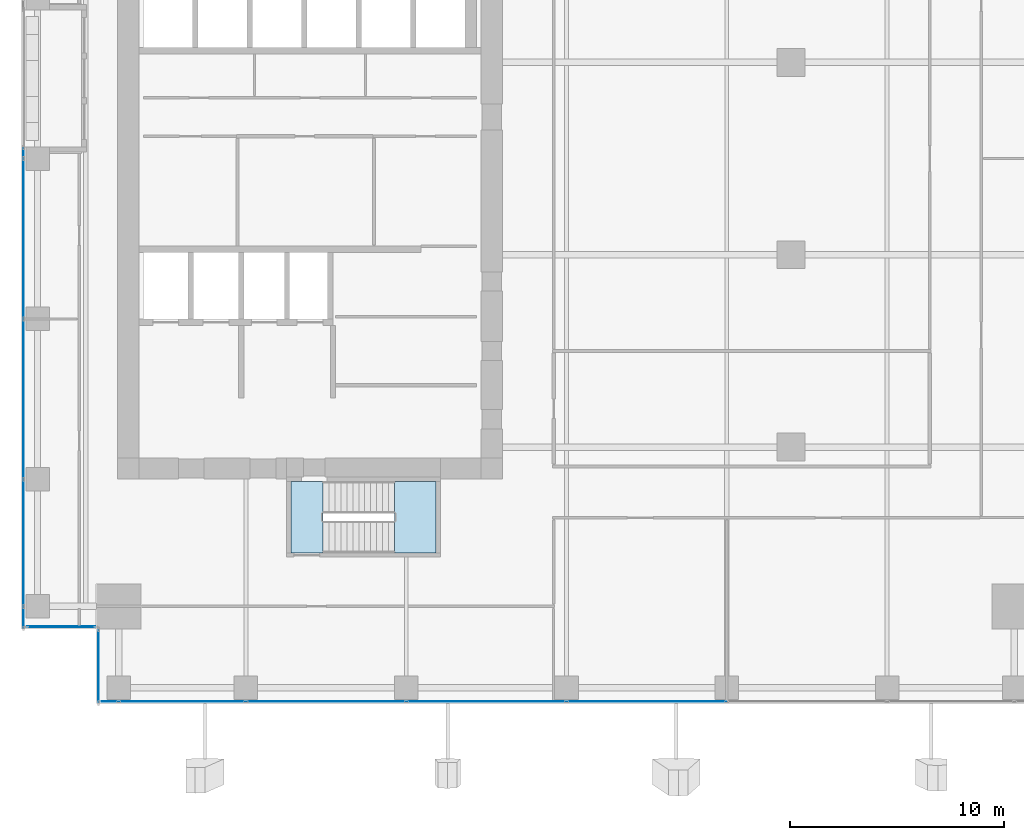
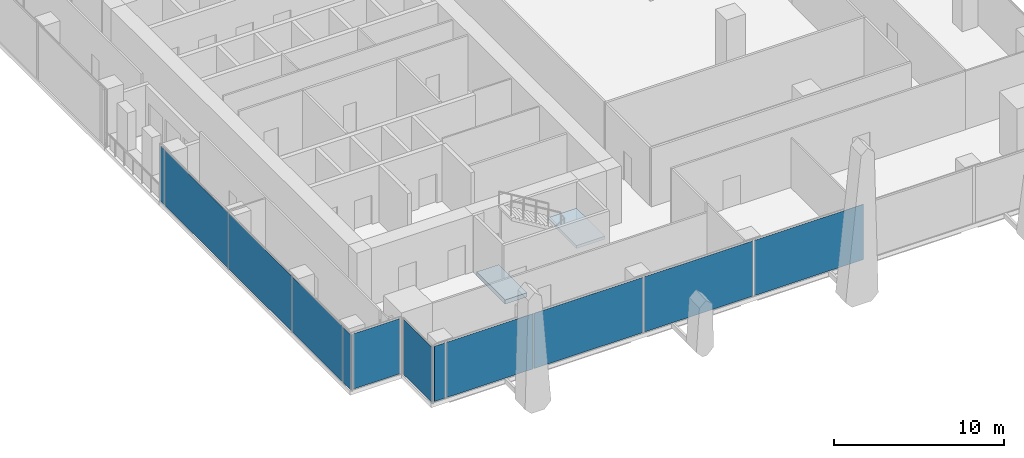
# One storey, part 23 of 35: 12 plates, 2 slabs, 5 elements without a shape of their own.
"""IFC4 building model written with IfcOpenShell, lengths in metres."""

from ifc_helpers import new_model, si_unit, direction, frame, origin, origin_2d, place, context, subcontext, project, spatial, polyline, rectangle, outline, extrude, source, transform, mapped, material, layer, layer_set, type_object, element, aggregate, save


model = new_model("IFC4")

# Units and contexts
model_context = context("Model", 3, precision=1e-05, world=origin(), true_north=direction((0.0, 1.0)))
body_context = subcontext(model_context, "Body", "Model", "MODEL_VIEW")
ifc_project = project(units=[si_unit("LENGTHUNIT", "METRE"), si_unit("AREAUNIT", "SQUARE_METRE"), si_unit("VOLUMEUNIT", "CUBIC_METRE"), si_unit("PLANEANGLEUNIT", "RADIAN"), si_unit("MASSUNIT", "GRAM", prefix="KILO")], contexts=[model_context])

# Site, building, storey
site_placement = place(None, origin())
site = spatial("IfcSite", under=ifc_project, at=site_placement, CompositionType="ELEMENT")
building_placement = place(site_placement, origin())
building = spatial("IfcBuilding", under=site, at=building_placement, Name="Khomas Fold Tower", CompositionType="ELEMENT")
storey_placement = place(building_placement, frame((0.0, 0.0, 136.699951171875)))
storey = spatial("IfcBuildingStorey", under=building, at=storey_placement, Name="L29", CompositionType="ELEMENT", Elevation=136.699951171875)

# Curtain wall, plates
ifc_material_1 = material(Name="Aluminium framed double glazing", Category="aluminium")
curtain_wall_type = type_object("IfcCurtainWallType", Name="SK-Unitised clear-glass wall, growing floors CW1", PredefinedType="NOTDEFINED", material=ifc_material_1)
curtain_wall_1_placement = place(storey_placement, origin())
curtain_wall_1 = element("IfcCurtainWall", 1, at=curtain_wall_1_placement, inside=storey, type_object=curtain_wall_type, Name="CW1 run L29 00-0", PredefinedType="NOTDEFINED")
ifc_material_2 = material(Name="Clear double glazed unit")
ifc_layer_1 = layer(ifc_material_2, 0.031982421875)
ifc_layer_set_1 = layer_set([ifc_layer_1], Name="Clear double glazed unit")
plate_type = type_object("IfcPlateType", Name="SK-Unitised clear-glass wall, growing floors glass panel CW1-P", PredefinedType="CURTAIN_PANEL", material=ifc_layer_set_1)
shared_shape_1 = source(origin(), body_context, "Body", "SweptSolid", [
    extrude(rectangle(XDim=0.760009765625, YDim=0.031982421875, at=origin_2d()), origin(), (0.0, 0.0, 1.0), 3.97998046875),
])
plate_1_placement = place(storey_placement, frame((5.639892578125, 1.60009765625, 0.0), z_axis=(0.0, 0.0, 1.0), x_axis=(1.0, 0.0, 0.0)))
plate_1 = element("IfcPlate", 2, at=plate_1_placement, type_object=plate_type, Name="CW1 glass panel 1", PredefinedType="CURTAIN_PANEL", context=body_context, shape_type="MappedRepresentation", body=[
    mapped(shared_shape_1, transform((0.0, 0.0, 0.0))),
])
shared_shape_2 = source(origin(), body_context, "Body", "SweptSolid", [
    extrude(rectangle(XDim=5.889892578125, YDim=0.031982421875, at=origin_2d()), origin(), (0.0, 0.0, 1.0), 3.97998046875),
])
plate_2_placement = place(storey_placement, frame((9.02490234375, 1.60009765625, 0.0), z_axis=(0.0, 0.0, 1.0), x_axis=(1.0, 0.0, 0.0)))
plate_2 = element("IfcPlate", 3, at=plate_2_placement, type_object=plate_type, Name="CW1 glass panel 2", PredefinedType="CURTAIN_PANEL", context=body_context, shape_type="MappedRepresentation", body=[
    mapped(shared_shape_2, transform((0.0, 0.0, 0.0))),
])

# Curtain wall, plate
curtain_wall_2_placement = place(storey_placement, origin())
curtain_wall_2 = element("IfcCurtainWall", 4, at=curtain_wall_2_placement, inside=storey, type_object=curtain_wall_type, Name="CW1 run L29 09-1", PredefinedType="NOTDEFINED")
plate_3_placement = place(storey_placement, frame((1.60009765625, 9.02490234375, 0.0), z_axis=(0.0, 0.0, 1.0), x_axis=(0.0, -1.0, 0.0)))
plate_3 = element("IfcPlate", 5, at=plate_3_placement, type_object=plate_type, Name="CW1 glass panel 4", PredefinedType="CURTAIN_PANEL", context=body_context, shape_type="MappedRepresentation", body=[
    mapped(shared_shape_2, transform((0.0, 0.0, 0.0))),
])

# Plate
shared_shape_3 = source(origin(), body_context, "Body", "SweptSolid", [
    extrude(rectangle(XDim=7.43994140625, YDim=0.031982421875, at=origin_2d()), origin(), (0.0, 0.0, 1.0), 3.97998046875),
])
plate_4_placement = place(storey_placement, frame((15.75, 1.60009765625, 0.0), z_axis=(0.0, 0.0, 1.0), x_axis=(1.0, 0.0, 0.0)))
plate_4 = element("IfcPlate", 6, at=plate_4_placement, type_object=plate_type, Name="CW1 glass panel 3", PredefinedType="CURTAIN_PANEL", context=body_context, shape_type="MappedRepresentation", body=[
    mapped(shared_shape_3, transform((0.0, 0.0, 0.0))),
])

plate_5_placement = place(storey_placement, frame((23.25, 1.60009765625, 0.0), z_axis=(0.0, 0.0, 1.0), x_axis=(1.0, 0.0, 0.0)))
plate_5 = element("IfcPlate", 7, at=plate_5_placement, type_object=plate_type, Name="CW1 glass panel 4", PredefinedType="CURTAIN_PANEL", context=body_context, shape_type="MappedRepresentation", body=[
    mapped(shared_shape_3, transform((0.0, 0.0, 0.0))),
])

plate_6_placement = place(storey_placement, frame((30.75, 1.60009765625, 0.0), z_axis=(0.0, 0.0, 1.0), x_axis=(1.0, 0.0, 0.0)))
plate_6 = element("IfcPlate", 8, at=plate_6_placement, type_object=plate_type, Name="CW1 glass panel 5", PredefinedType="CURTAIN_PANEL", context=body_context, shape_type="MappedRepresentation", body=[
    mapped(shared_shape_3, transform((0.0, 0.0, 0.0))),
])

aggregate(curtain_wall_1, [plate_1, plate_2, plate_4, plate_5, plate_6])

plate_7_placement = place(storey_placement, frame((1.60009765625, 23.25, 0.0), z_axis=(0.0, 0.0, 1.0), x_axis=(0.0, -1.0, 0.0)))
plate_7 = element("IfcPlate", 9, at=plate_7_placement, type_object=plate_type, Name="CW1 glass panel 2", PredefinedType="CURTAIN_PANEL", context=body_context, shape_type="MappedRepresentation", body=[
    mapped(shared_shape_3, transform((0.0, 0.0, 0.0))),
])

plate_8_placement = place(storey_placement, frame((1.60009765625, 15.75, 0.0), z_axis=(0.0, 0.0, 1.0), x_axis=(0.0, -1.0, 0.0)))
plate_8 = element("IfcPlate", 10, at=plate_8_placement, type_object=plate_type, Name="CW1 glass panel 3", PredefinedType="CURTAIN_PANEL", context=body_context, shape_type="MappedRepresentation", body=[
    mapped(shared_shape_3, transform((0.0, 0.0, 0.0))),
])

shared_shape_4 = source(origin(), body_context, "Body", "SweptSolid", [
    extrude(rectangle(XDim=0.9599609375, YDim=0.031982421875, at=origin_2d()), origin(), (0.0, 0.0, 1.0), 3.97998046875),
])
plate_9_placement = place(storey_placement, frame((1.60009765625, 5.5400390625, 0.0), z_axis=(0.0, 0.0, 1.0), x_axis=(0.0, -1.0, 0.0)))
plate_9 = element("IfcPlate", 11, at=plate_9_placement, type_object=plate_type, Name="CW1 glass panel 5", PredefinedType="CURTAIN_PANEL", context=body_context, shape_type="MappedRepresentation", body=[
    mapped(shared_shape_4, transform((0.0, 0.0, 0.0))),
])

# Curtain wall, plate
curtain_wall_3_placement = place(storey_placement, origin())
curtain_wall_3 = element("IfcCurtainWall", 12, at=curtain_wall_3_placement, inside=storey, type_object=curtain_wall_type, Name="CW1 corner return L29 10", PredefinedType="NOTDEFINED")
shared_shape_5 = source(origin(), body_context, "Body", "SweptSolid", [
    extrude(rectangle(XDim=3.179931640625, YDim=0.031982421875, at=origin_2d()), origin(), (0.0, 0.0, 1.0), 3.97998046875),
])
plate_10_placement = place(storey_placement, frame((3.35009765625, 5.10009765625, 0.0), z_axis=(0.0, 0.0, 1.0), x_axis=(1.0, 0.0, 0.0)))
plate_10 = element("IfcPlate", 13, at=plate_10_placement, type_object=plate_type, Name="CW1 glass panel 1", PredefinedType="CURTAIN_PANEL", context=body_context, shape_type="MappedRepresentation", body=[
    mapped(shared_shape_5, transform((0.0, 0.0, 0.0))),
])
aggregate(curtain_wall_3, [plate_10])

curtain_wall_4_placement = place(storey_placement, origin())
curtain_wall_4 = element("IfcCurtainWall", 14, at=curtain_wall_4_placement, inside=storey, type_object=curtain_wall_type, Name="CW1 corner return L29 11", PredefinedType="NOTDEFINED")
shared_shape_6 = source(origin(), body_context, "Body", "SweptSolid", [
    extrude(rectangle(XDim=3.3798828125, YDim=0.031982421875, at=origin_2d()), origin(), (0.0, 0.0, 1.0), 3.97998046875),
])
plate_11_placement = place(storey_placement, frame((5.10009765625, 3.25, 0.0), z_axis=(0.0, 0.0, 1.0), x_axis=(0.0, -1.0, 0.0)))
plate_11 = element("IfcPlate", 15, at=plate_11_placement, type_object=plate_type, Name="CW1 glass panel 1", PredefinedType="CURTAIN_PANEL", context=body_context, shape_type="MappedRepresentation", body=[
    mapped(shared_shape_6, transform((0.0, 0.0, 0.0))),
])
aggregate(curtain_wall_4, [plate_11])

# Plate
shared_shape_7 = source(origin(), body_context, "Body", "SweptSolid", [
    extrude(rectangle(XDim=0.4599609375, YDim=0.031982421875, at=origin_2d()), origin(), (0.0, 0.0, 1.0), 3.97998046875),
])
plate_12_placement = place(storey_placement, frame((1.60009765625, 27.260009765625, 0.0), z_axis=(0.0, 0.0, 1.0), x_axis=(0.0, -1.0, 0.0)))
plate_12 = element("IfcPlate", 16, at=plate_12_placement, type_object=plate_type, Name="CW1 glass panel 1", PredefinedType="CURTAIN_PANEL", context=body_context, shape_type="MappedRepresentation", body=[
    mapped(shared_shape_7, transform((0.0, 0.0, 0.0))),
])

aggregate(curtain_wall_2, [plate_12, plate_7, plate_8, plate_3, plate_9])

# Stair, slab
ifc_material_3 = material(Name="Concrete C40/50", Category="concrete")
stair_type = type_object("IfcStairType", Name="Stair ST2", PredefinedType="HALF_TURN_STAIR", material=ifc_material_3)
stair_placement = place(storey_placement, origin())
stair = element("IfcStair", 17, at=stair_placement, inside=storey, type_object=stair_type, Name="L29 ST2", PredefinedType="HALF_TURN_STAIR")
ifc_material_4 = material(Name="Concrete C40/50", Category="concrete")
ifc_layer_2 = layer(ifc_material_4, 0.199951171875)
ifc_layer_set_2 = layer_set([ifc_layer_2], Name="Concrete C40/50")
slab_type_1 = type_object("IfcSlabType", Name="Stair landing 200", PredefinedType="LANDING", material=ifc_layer_set_2)
shared_shape_8 = source(origin(), body_context, "Body", "SweptSolid", [
    extrude(outline(polyline([(18.9599609375, 8.550048828125), (20.89990234375, 8.550048828125), (20.89990234375, 11.89990234375), (18.9599609375, 11.89990234375), (18.9599609375, 8.550048828125)])), origin(), (0.0, 0.0, 1.0), 0.199951171875),
])
slab_1_placement = place(storey_placement, frame((0.0, 0.0, 2.0)))
slab_1 = element("IfcSlab", 18, at=slab_1_placement, type_object=slab_type_1, Name="ST2 landing 1", PredefinedType="LANDING", context=body_context, shape_type="MappedRepresentation", body=[
    mapped(shared_shape_8, transform((0.0, 0.0, 0.0))),
])
aggregate(stair, [slab_1])

# Slab
ifc_material_5 = material(Name="Concrete C40/50", Category="concrete")
ifc_layer_3 = layer(ifc_material_5, 0.300048828125)
ifc_layer_set_3 = layer_set([ifc_layer_3], Name="Concrete C40/50")
slab_type_2 = type_object("IfcSlabType", Name="Stair floor landing 300", PredefinedType="LANDING", material=ifc_layer_set_3)
shared_shape_9 = source(origin(), body_context, "Body", "SweptSolid", [
    extrude(outline(polyline([(15.60009765625, 8.550048828125), (14.10009765625, 8.550048828125), (14.10009765625, 11.89990234375), (15.60009765625, 11.89990234375), (15.60009765625, 8.550048828125)])), origin(), (0.0, 0.0, 1.0), 0.300048828125),
])
slab_2_placement = place(storey_placement, frame((0.0, 0.0, -0.300048828125)))
element("IfcSlab", 19, at=slab_2_placement, inside=storey, type_object=slab_type_2, Name="ST2 floor landing", PredefinedType="LANDING", context=body_context, shape_type="MappedRepresentation", body=[
    mapped(shared_shape_9, transform((0.0, 0.0, 0.0))),
])

save(model, "model.ifc")
